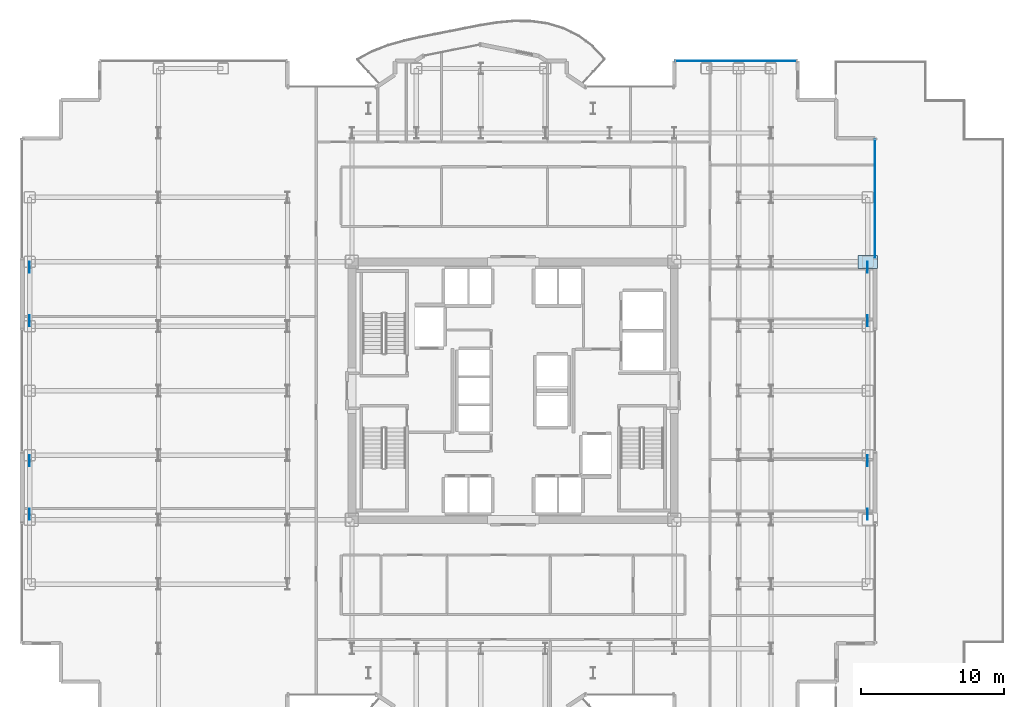
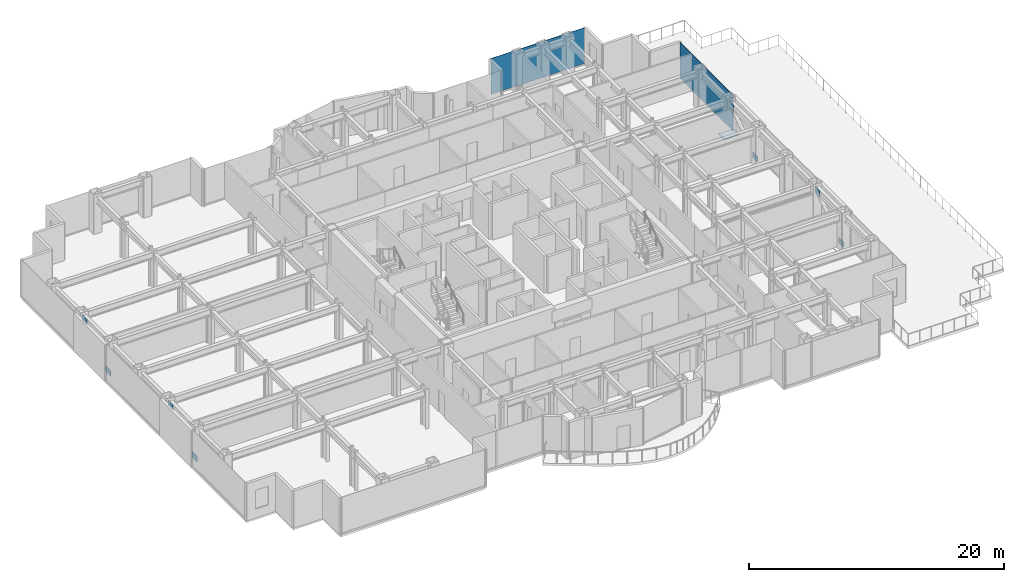
# One storey, part 18 of 27: 11 plates, 2 elements without a shape of their own.
"""IFC4 building model written with IfcOpenShell, lengths in metres."""

from ifc_helpers import new_model, si_unit, direction, frame, origin, origin_2d, place, context, subcontext, project, spatial, rectangle, extrude, source, transform, mapped, material, layer, layer_set, type_object, element, aggregate, save


model = new_model("IFC4")

# Units and contexts
model_context = context("Model", 3, precision=1e-05, world=origin(), true_north=direction((0.0, 1.0)))
body_context = subcontext(model_context, "Body", "Model", "MODEL_VIEW")
ifc_project = project(units=[si_unit("LENGTHUNIT", "METRE"), si_unit("AREAUNIT", "SQUARE_METRE"), si_unit("VOLUMEUNIT", "CUBIC_METRE"), si_unit("PLANEANGLEUNIT", "RADIAN"), si_unit("MASSUNIT", "GRAM", prefix="KILO")], contexts=[model_context])

# Site, building, storey
site_placement = place(None, origin())
site = spatial("IfcSite", under=ifc_project, at=site_placement, CompositionType="ELEMENT")
building_placement = place(site_placement, origin())
building = spatial("IfcBuilding", under=site, at=building_placement, Name="Nefas-Gora Pilgrimage Tower", CompositionType="ELEMENT")
storey_placement = place(building_placement, frame((0.0, 0.0, 148.800048828125)))
storey = spatial("IfcBuildingStorey", under=building, at=storey_placement, Name="L36", CompositionType="ELEMENT", Elevation=148.800048828125)

# Plates
ifc_material_1 = material(Name="Steel S460", Category="steel")
ifc_layer_1 = layer(ifc_material_1, 0.050048828125)
ifc_layer_set_1 = layer_set([ifc_layer_1], Name="Steel S460")
plate_type_1 = type_object("IfcPlateType", Name="PLT-NODE-N08", PredefinedType="USERDEFINED", material=ifc_layer_set_1)
shared_shape_1 = source(origin(), body_context, "Body", "SweptSolid", [
    extrude(rectangle(XDim=0.780029296875, YDim=0.0380859375, at=origin_2d()), origin(), (0.0, 0.0, 1.0), 0.5400390625),
])
for number, where, z_axis, x_axis, name in (
    (1, (-33.75, -8.612060546875, 0.157470703125), (0.0, 0.0, 1.0), (0.0, 1.0, 0.0), "Structural Node Gusset Plate N08 (L36)"),
    (2, (-33.75, -4.887939453125, 2.822265625), (0.0, 0.0, 1.0), (0.0, 1.0, 0.0), "Structural Node Gusset Plate N08 (L36)"),
    (3, (-33.75, 4.887939453125, 0.157470703125), (0.0, 0.0, 1.0), (0.0, 1.0, 0.0), "Structural Node Gusset Plate N08 (L36)"),
    (4, (-33.75, 8.612060546875, 2.822265625), (0.0, 0.0, 1.0), (0.0, 1.0, 0.0), "Structural Node Gusset Plate N08 (L36)"),
    (5, (24.75, -8.612060546875, 0.157470703125), (0.0, 0.0, 1.0), (0.0, 1.0, 0.0), "Structural Node Gusset Plate N08 (L36)"),
    (6, (24.75, -4.887939453125, 2.822265625), (0.0, 0.0, 1.0), (0.0, 1.0, 0.0), "Structural Node Gusset Plate N08 (L36)"),
    (7, (24.75, 4.887939453125, 0.157470703125), (0.0, 0.0, 1.0), (0.0, 1.0, 0.0), "Structural Node Gusset Plate N08 (L36)"),
    (8, (24.75, 8.612060546875, 2.822265625), (0.0, 0.0, 1.0), (0.0, 1.0, 0.0), "Structural Node Gusset Plate N08 (L36)"),
):
    element("IfcPlate", number, at=place(storey_placement, frame(where, z_axis=z_axis, x_axis=x_axis)), inside=storey, type_object=plate_type_1, Name=name, ObjectType="GUSSET_PLATE", PredefinedType="USERDEFINED", context=body_context, shape_type="MappedRepresentation", body=[
        mapped(shared_shape_1, transform((0.0, 0.0, 0.0), x_axis=(1.0, 0.0, 0.0), y_axis=(0.0, 1.0, 0.0), z_axis=(0.0, 0.0, 1.0), scale=1.0)),
    ])
ifc_layer_2 = layer(ifc_material_1, 0.048095703125)
ifc_layer_set_2 = layer_set([ifc_layer_2], Name="Steel S460")
plate_type_2 = type_object("IfcPlateType", Name="PLT-NODE-N07", PredefinedType="USERDEFINED", material=ifc_layer_set_2)
shared_shape_2 = source(origin(), body_context, "Body", "SweptSolid", [
    extrude(rectangle(XDim=1.35009765625, YDim=0.89990234375, at=origin_2d()), origin(), (0.0, 0.0, 1.0), 0.048095703125),
])
plate_1_placement = place(storey_placement, frame((24.75, 9.0, 0.0556640625), z_axis=(0.0, 0.0, 1.0), x_axis=(1.0, 0.0, 0.0)))
element("IfcPlate", 9, at=plate_1_placement, inside=storey, type_object=plate_type_2, Name="Structural Node Gusset Plate N07 (L36)", ObjectType="GUSSET_PLATE", PredefinedType="USERDEFINED", context=body_context, shape_type="MappedRepresentation", body=[
    mapped(shared_shape_2, transform((0.0, 0.0, 0.0), x_axis=(1.0, 0.0, 0.0), y_axis=(0.0, 1.0, 0.0), z_axis=(0.0, 0.0, 1.0), scale=1.0)),
])

# Curtain wall, plate
ifc_material_2 = material(Name="Dark ceramic-fritted solar-control aluminium-glass curtain wall", Category="aluminium")
ifc_layer_3 = layer(ifc_material_2, 0.219970703125)
ifc_layer_set_3 = layer_set([ifc_layer_3], Name="Dark ceramic-fritted solar-control aluminium-glass curtain wall")
curtain_wall_type = type_object("IfcCurtainWallType", Name="CW-SYS-3", PredefinedType="NOTDEFINED", material=ifc_layer_set_3)
curtain_wall_1_placement = place(storey_placement, origin())
curtain_wall_1 = element("IfcCurtainWall", 10, at=curtain_wall_1_placement, inside=storey, type_object=curtain_wall_type, Name="L36 Unitised Curtain Wall CW3", PredefinedType="NOTDEFINED")
ifc_material_3 = material(Name="Dark ceramic-printed low-e insulated glass", Category="glass")
ifc_layer_4 = layer(ifc_material_3, 0.033935546875)
ifc_layer_set_4 = layer_set([ifc_layer_4], Name="Dark ceramic-printed low-e insulated glass")
plate_type_3 = type_object("IfcPlateType", Name="CWP-PNL-3", PredefinedType="CURTAIN_PANEL", material=ifc_layer_set_4)
shared_shape_3 = source(origin(), body_context, "Body", "SweptSolid", [
    extrude(rectangle(XDim=8.43994140625, YDim=0.033935546875, at=origin_2d()), origin(), (0.0, 0.0, 1.0), 3.43994140625),
])
plate_2_placement = place(storey_placement, frame((15.56005859375, 23.02001953125, 0.10009765625), z_axis=(0.0, 0.0, 1.0), x_axis=(-1.0, 0.0, 0.0)))
plate_2 = element("IfcPlate", 11, at=plate_2_placement, type_object=plate_type_3, Name="CW3 Ceramic-Fritted Glazing Panel 1", PredefinedType="CURTAIN_PANEL", context=body_context, shape_type="MappedRepresentation", body=[
    mapped(shared_shape_3, transform((0.0, 0.0, 0.0), x_axis=(1.0, 0.0, 0.0), y_axis=(0.0, 1.0, 0.0), z_axis=(0.0, 0.0, 1.0), scale=1.0)),
])
aggregate(curtain_wall_1, [plate_2])

curtain_wall_2_placement = place(storey_placement, origin())
curtain_wall_2 = element("IfcCurtainWall", 12, at=curtain_wall_2_placement, inside=storey, type_object=curtain_wall_type, Name="L36 Unitised Curtain Wall CW3", PredefinedType="NOTDEFINED")
shared_shape_4 = source(origin(), body_context, "Body", "SweptSolid", [
    extrude(rectangle(XDim=8.2900390625, YDim=0.033935546875, at=origin_2d()), origin(), (0.0, 0.0, 1.0), 3.43994140625),
])
plate_3_placement = place(storey_placement, frame((25.27001953125, 13.385009765625, 0.10009765625), z_axis=(0.0, 0.0, 1.0), x_axis=(0.0, 1.0, 0.0)))
plate_3 = element("IfcPlate", 13, at=plate_3_placement, type_object=plate_type_3, Name="CW3 Ceramic-Fritted Glazing Panel 1", PredefinedType="CURTAIN_PANEL", context=body_context, shape_type="MappedRepresentation", body=[
    mapped(shared_shape_4, transform((0.0, 0.0, 0.0), x_axis=(1.0, 0.0, 0.0), y_axis=(0.0, 1.0, 0.0), z_axis=(0.0, 0.0, 1.0), scale=1.0)),
])
aggregate(curtain_wall_2, [plate_3])

save(model, "model.ifc")
